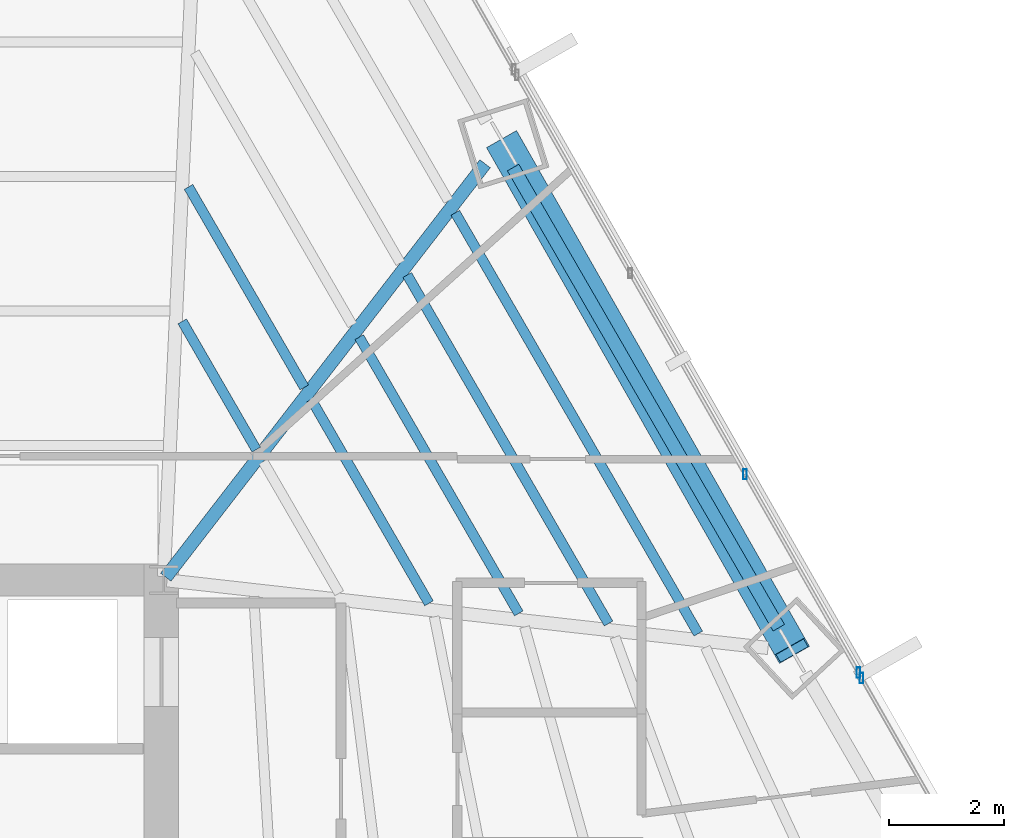
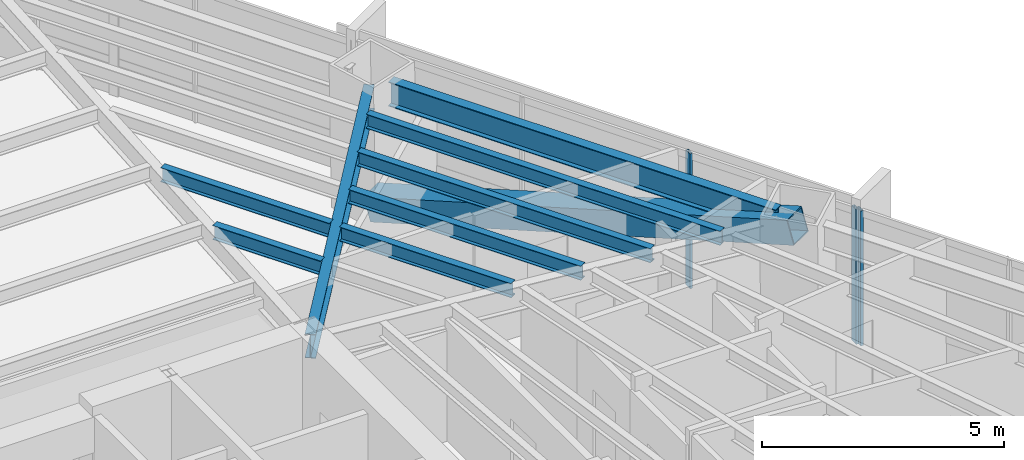
# One storey, part 23 of 38: 8 beams, 4 members, 2 elements without a shape of their own.
"""IFC4 building model written with IfcOpenShell, lengths in metres."""

from ifc_helpers import new_model, si_unit, direction, frame, origin, origin_2d, place, context, subcontext, project, spatial, hollow_rectangle, i_section, extrude, source, transform, mapped, material, material_profile, profile_set, type_object, type_shapes, element, aggregate, save


model = new_model("IFC4")

# Units and contexts
model_context = context("Model", 3, precision=1e-05, world=origin(), true_north=direction((0.0, 1.0)))
body_context = subcontext(model_context, "Body", "Model", "MODEL_VIEW")
ifc_project = project(units=[si_unit("LENGTHUNIT", "METRE"), si_unit("AREAUNIT", "SQUARE_METRE"), si_unit("VOLUMEUNIT", "CUBIC_METRE"), si_unit("PLANEANGLEUNIT", "RADIAN"), si_unit("MASSUNIT", "GRAM", prefix="KILO")], contexts=[model_context])

# Site, building, storey
site_placement = place(None, origin())
site = spatial("IfcSite", under=ifc_project, at=site_placement, CompositionType="ELEMENT")
building_placement = place(site_placement, origin())
building = spatial("IfcBuilding", under=site, at=building_placement, Name="Caelisora Broadcast Tower", CompositionType="ELEMENT")
storey_placement = place(building_placement, frame((0.0, 0.0, 67.75)))
storey = spatial("IfcBuildingStorey", under=building, at=storey_placement, Name="L17", CompositionType="ELEMENT", Elevation=67.75)

# Beams
ifc_material_1 = material(Name="Steel Grade 350 (AS/NZS 3679.1)", Category="steel")
ifc_material_profile_1 = material_profile(ifc_material_1, i_section(OverallWidth=0.172119140625, OverallDepth=0.358642578125, WebThickness=0.008056640625, FlangeThickness=0.012939453125, at=origin_2d()), Name="Steel Grade 350 (AS/NZS 3679.1)")
ifc_profile_set_1 = profile_set([ifc_material_profile_1], Name="Steel Grade 350 (AS/NZS 3679.1)")
beam_type_1 = type_object("IfcBeamType", Name="SB02", PredefinedType="JOIST", material=ifc_profile_set_1)
shared_shape_1 = source(origin(), body_context, "Body", "SweptSolid", [
    extrude(i_section(OverallWidth=0.172119140625, OverallDepth=0.358642578125, WebThickness=0.008056640625, FlangeThickness=0.012939453125, at=origin_2d()), origin(), (0.0, 0.0, 1.0), 4.02099609375),
])
beam_1_placement = place(storey_placement, frame((47.9423828125, 33.34423828125, 3.220703125), z_axis=(-0.500011526203, 0.866018749026, 0.0), x_axis=(-0.866018749026, -0.500011526203, 0.0)))
element("IfcBeam", 1, at=beam_1_placement, inside=storey, type_object=beam_type_1, Name="L17 beam SB02", PredefinedType="JOIST", context=body_context, shape_type="MappedRepresentation", body=[
    mapped(shared_shape_1, transform((0.0, 0.0, 0.0), scale=1.0)),
])
ifc_material_profile_2 = material_profile(ifc_material_1, i_section(OverallWidth=0.22900390625, OverallDepth=0.611572265625, WebThickness=0.011962890625, FlangeThickness=0.01953125, at=origin_2d()), Name="Steel Grade 350 (AS/NZS 3679.1)")
ifc_profile_set_2 = profile_set([ifc_material_profile_2], Name="Steel Grade 350 (AS/NZS 3679.1)")
beam_type_2 = type_object("IfcBeamType", Name="PG03", PredefinedType="BEAM", material=ifc_profile_set_2)
shared_shape_2 = source(origin(), body_context, "Body", "SweptSolid", [
    extrude(i_section(OverallWidth=0.22900390625, OverallDepth=0.611572265625, WebThickness=0.011962890625, FlangeThickness=0.01953125, at=origin_2d()), origin(), (0.0, 0.0, 1.0), 9.22802734375),
])
type_shapes(beam_type_2, [shared_shape_2])
beam_2_placement = place(storey_placement, frame((56.183349609375, 29.17041015625, 3.09423828125), z_axis=(-0.500000323199, 0.866025217185, 0.0), x_axis=(-0.866025217185, -0.500000323199, 0.0)))
element("IfcBeam", 2, at=beam_2_placement, inside=storey, type_object=beam_type_2, Name="L17 beam PG03", PredefinedType="BEAM", context=body_context, shape_type="MappedRepresentation", body=[
    mapped(shared_shape_2, transform((0.0, 0.0, 0.0), scale=1.0)),
])
ifc_material_profile_3 = material_profile(ifc_material_1, i_section(OverallWidth=0.22802734375, OverallDepth=0.602294921875, WebThickness=0.010498046875, FlangeThickness=0.014892578125, at=origin_2d()), Name="Steel Grade 350 (AS/NZS 3679.1)")
ifc_profile_set_3 = profile_set([ifc_material_profile_3], Name="Steel Grade 350 (AS/NZS 3679.1)")
beam_type_3 = type_object("IfcBeamType", Name="PG04", PredefinedType="BEAM", material=ifc_profile_set_3)
shared_shape_3 = source(origin(), body_context, "Body", "SweptSolid", [
    extrude(i_section(OverallWidth=0.22802734375, OverallDepth=0.602294921875, WebThickness=0.010498046875, FlangeThickness=0.014892578125, at=origin_2d()), origin(), (0.0, 0.0, 1.0), 9.07275390625),
])
type_shapes(beam_type_3, [shared_shape_3])
beam_3_placement = place(storey_placement, frame((45.53662109375, 30.047607421875, 3.098876953125), z_axis=(0.611267510956, 0.791424051978, 0.0), x_axis=(-0.791424051978, 0.611267510956, 0.0)))
element("IfcBeam", 3, at=beam_3_placement, inside=storey, type_object=beam_type_3, Name="L17 beam PG04", PredefinedType="BEAM", context=body_context, shape_type="MappedRepresentation", body=[
    mapped(shared_shape_3, transform((0.0, 0.0, 0.0), scale=1.0)),
])
shared_shape_4 = source(origin(), body_context, "Body", "SweptSolid", [
    extrude(i_section(OverallWidth=0.172119140625, OverallDepth=0.358642578125, WebThickness=0.008056640625, FlangeThickness=0.012939453125, at=origin_2d()), origin(), (0.0, 0.0, 1.0), 2.5712890625),
])
beam_4_placement = place(storey_placement, frame((47.1083984375, 32.26416015625, 3.220703125), z_axis=(-0.499999159329, 0.866025889145, 0.0), x_axis=(-0.866025889145, -0.499999159329, 0.0)))
element("IfcBeam", 4, at=beam_4_placement, inside=storey, type_object=beam_type_1, Name="L17 beam SB02", PredefinedType="JOIST", context=body_context, shape_type="MappedRepresentation", body=[
    mapped(shared_shape_4, transform((0.0, 0.0, 0.0), scale=1.0)),
])
shared_shape_5 = source(origin(), body_context, "Body", "SweptSolid", [
    extrude(i_section(OverallWidth=0.172119140625, OverallDepth=0.358642578125, WebThickness=0.008056640625, FlangeThickness=0.012939453125, at=origin_2d()), origin(), (0.0, 0.0, 1.0), 4.09033203125),
])
beam_5_placement = place(storey_placement, frame((50.10791015625, 29.59375, 3.220703125), z_axis=(-0.500010069898, 0.866019589848, 0.0), x_axis=(-0.866019589848, -0.500010069898, 0.0)))
element("IfcBeam", 5, at=beam_5_placement, inside=storey, type_object=beam_type_1, Name="L17 beam SB02", PredefinedType="JOIST", context=body_context, shape_type="MappedRepresentation", body=[
    mapped(shared_shape_5, transform((0.0, 0.0, 0.0), scale=1.0)),
])
shared_shape_6 = source(origin(), body_context, "Body", "SweptSolid", [
    extrude(i_section(OverallWidth=0.172119140625, OverallDepth=0.358642578125, WebThickness=0.008056640625, FlangeThickness=0.012939453125, at=origin_2d()), origin(), (0.0, 0.0, 1.0), 5.540283203125),
])
beam_6_placement = place(storey_placement, frame((51.6669921875, 29.418212890625, 3.220703125), z_axis=(-0.500011076688, 0.866019008561, 0.0), x_axis=(-0.866019008561, -0.500011076688, 0.0)))
element("IfcBeam", 6, at=beam_6_placement, inside=storey, type_object=beam_type_1, Name="L17 beam SB02", PredefinedType="JOIST", context=body_context, shape_type="MappedRepresentation", body=[
    mapped(shared_shape_6, transform((0.0, 0.0, 0.0), scale=1.0)),
])
shared_shape_7 = source(origin(), body_context, "Body", "SweptSolid", [
    extrude(i_section(OverallWidth=0.172119140625, OverallDepth=0.358642578125, WebThickness=0.008056640625, FlangeThickness=0.012939453125, at=origin_2d()), origin(), (0.0, 0.0, 1.0), 6.989990234375),
])
beam_7_placement = place(storey_placement, frame((53.225830078125, 29.242919921875, 3.220703125), z_axis=(-0.49998952364, 0.866031452229, 0.0), x_axis=(-0.866031452229, -0.49998952364, 0.0)))
element("IfcBeam", 7, at=beam_7_placement, inside=storey, type_object=beam_type_1, Name="L17 beam SB02", PredefinedType="JOIST", context=body_context, shape_type="MappedRepresentation", body=[
    mapped(shared_shape_7, transform((0.0, 0.0, 0.0), scale=1.0)),
])
shared_shape_8 = source(origin(), body_context, "Body", "SweptSolid", [
    extrude(i_section(OverallWidth=0.172119140625, OverallDepth=0.358642578125, WebThickness=0.008056640625, FlangeThickness=0.012939453125, at=origin_2d()), origin(), (0.0, 0.0, 1.0), 8.439453125),
])
type_shapes(beam_type_1, [shared_shape_1, shared_shape_4, shared_shape_5, shared_shape_6, shared_shape_7, shared_shape_8])
beam_8_placement = place(storey_placement, frame((54.784912109375, 29.0673828125, 3.220703125), z_axis=(-0.499997070815, 0.866027094943, 0.0), x_axis=(-0.866027094943, -0.499997070815, 0.0)))
element("IfcBeam", 8, at=beam_8_placement, inside=storey, type_object=beam_type_1, Name="L17 beam SB02", PredefinedType="JOIST", context=body_context, shape_type="MappedRepresentation", body=[
    mapped(shared_shape_8, transform((0.0, 0.0, 0.0), scale=1.0)),
])

# Member
ifc_material_2 = material(Name="Steel Grade 450 L15 (AS/NZS 3678)", Category="steel")
ifc_material_profile_4 = material_profile(ifc_material_2, hollow_rectangle(XDim=0.60009765625, YDim=0.60009765625, WallThickness=0.02490234375, at=origin_2d()), Name="Steel Grade 450 L15 (AS/NZS 3678)")
ifc_profile_set_4 = profile_set([ifc_material_profile_4], Name="Steel Grade 450 L15 (AS/NZS 3678)")
member_type_1 = type_object("IfcMemberType", Name="BR01", PredefinedType="BRACE", material=ifc_profile_set_4)
shared_shape_9 = source(origin(), body_context, "Body", "SweptSolid", [
    extrude(hollow_rectangle(XDim=0.60009765625, YDim=0.60009765625, WallThickness=0.02490234375, at=origin_2d()), origin(), (0.0, 0.0, 1.0), 10.56689453125),
])
type_shapes(member_type_1, [shared_shape_9])
member_1_placement = place(storey_placement, frame((56.413330078125, 28.77197265625, 3.10009765625), z_axis=(-0.473480036203, 0.833794346678, -0.283907806805), x_axis=(-0.869576023973, -0.493799087211, 0.0)))
element("IfcMember", 9, at=member_1_placement, inside=storey, type_object=member_type_1, Name="L17 perimeter brace BR01", PredefinedType="BRACE", context=body_context, shape_type="MappedRepresentation", body=[
    mapped(shared_shape_9, transform((0.0, 0.0, 0.0), scale=1.0)),
])

# Curtain wall, members
ifc_material_3 = material(Name="Unitised Aluminium Insulated Shadow-Box Spandrel Curtain Wall", Category="aluminium")
curtain_wall_type_1 = type_object("IfcCurtainWallType", Name="CW-SP1", PredefinedType="NOTDEFINED", material=ifc_material_3)
curtain_wall_1_placement = place(storey_placement, origin())
curtain_wall_1 = element("IfcCurtainWall", 10, at=curtain_wall_1_placement, inside=storey, type_object=curtain_wall_type_1, Name="L17 curtain wall CW-SP1", PredefinedType="NOTDEFINED")
ifc_material_4 = material(Name="Aluminium 6063-T6 Anodised Terracotta Bronze", Category="aluminium")
ifc_material_profile_5 = material_profile(ifc_material_4, hollow_rectangle(XDim=0.06494140625, YDim=0.179931640625, WallThickness=0.00341796875, at=origin_2d()), Name="Aluminium 6063-T6 Anodised Terracotta Bronze")
ifc_profile_set_5 = profile_set([ifc_material_profile_5], Name="Aluminium 6063-T6 Anodised Terracotta Bronze")
member_type_2 = type_object("IfcMemberType", Name="CWM-02", PredefinedType="MULLION", material=ifc_profile_set_5)
shared_shape_10 = source(origin(), body_context, "Body", "SweptSolid", [
    extrude(hollow_rectangle(XDim=0.06494140625, YDim=0.179931640625, WallThickness=0.00341796875, at=origin_2d()), origin(), (0.0, 0.0, 1.0), 3.39990234375),
])
type_shapes(member_type_2, [shared_shape_10])
member_2_placement = place(storey_placement, frame((55.597900390625, 31.8359375, 0.0), z_axis=(0.0, 0.0, 1.0), x_axis=(1.0, 0.0, 0.0)))
member_2 = element("IfcMember", 11, at=member_2_placement, type_object=member_type_2, Name="L17-CW-B02 mullion #2", PredefinedType="MULLION", context=body_context, shape_type="MappedRepresentation", body=[
    mapped(shared_shape_10, transform((0.0, 0.0, 0.0), scale=1.0)),
])
member_3_placement = place(storey_placement, frame((57.566162109375, 28.39013671875, 0.0), z_axis=(0.0, 0.0, 1.0), x_axis=(1.0, 0.0, 0.0)))
member_3 = element("IfcMember", 12, at=member_3_placement, type_object=member_type_2, Name="L17-CW-B02 mullion #3", PredefinedType="MULLION", context=body_context, shape_type="MappedRepresentation", body=[
    mapped(shared_shape_10, transform((0.0, 0.0, 0.0), scale=1.0)),
])
aggregate(curtain_wall_1, [member_2, member_3])

# Curtain wall, member
ifc_material_5 = material(Name="Unitised Aluminium and Low-E Glass Curtain Wall", Category="glass")
curtain_wall_type_2 = type_object("IfcCurtainWallType", Name="CW-Z1", PredefinedType="NOTDEFINED", material=ifc_material_5)
curtain_wall_2_placement = place(storey_placement, origin())
curtain_wall_2 = element("IfcCurtainWall", 13, at=curtain_wall_2_placement, inside=storey, type_object=curtain_wall_type_2, Name="L17 curtain wall CW-Z1", PredefinedType="NOTDEFINED")
member_4_placement = place(storey_placement, frame((57.62060546875, 28.294677734375, 0.0), z_axis=(0.0, 0.0, 1.0), x_axis=(1.0, 0.0, 0.0)))
member_4 = element("IfcMember", 14, at=member_4_placement, type_object=member_type_2, Name="L17-CW-B03 mullion #0", PredefinedType="MULLION", context=body_context, shape_type="MappedRepresentation", body=[
    mapped(shared_shape_10, transform((0.0, 0.0, 0.0), scale=1.0)),
])
aggregate(curtain_wall_2, [member_4])

save(model, "model.ifc")
